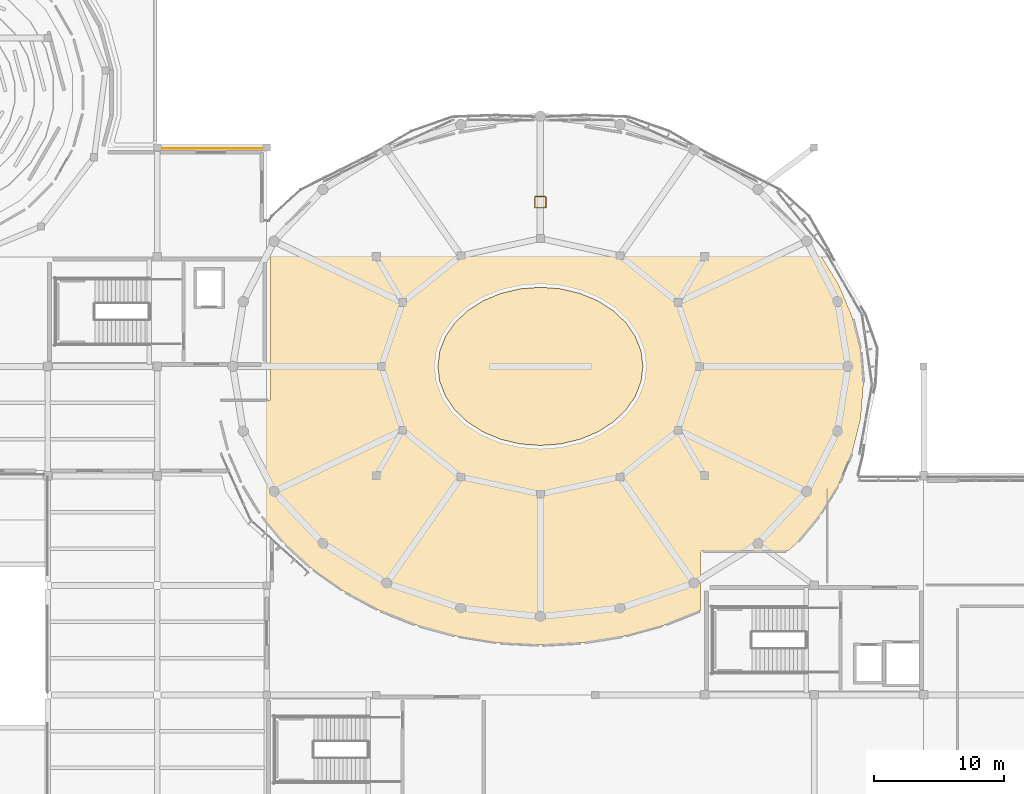
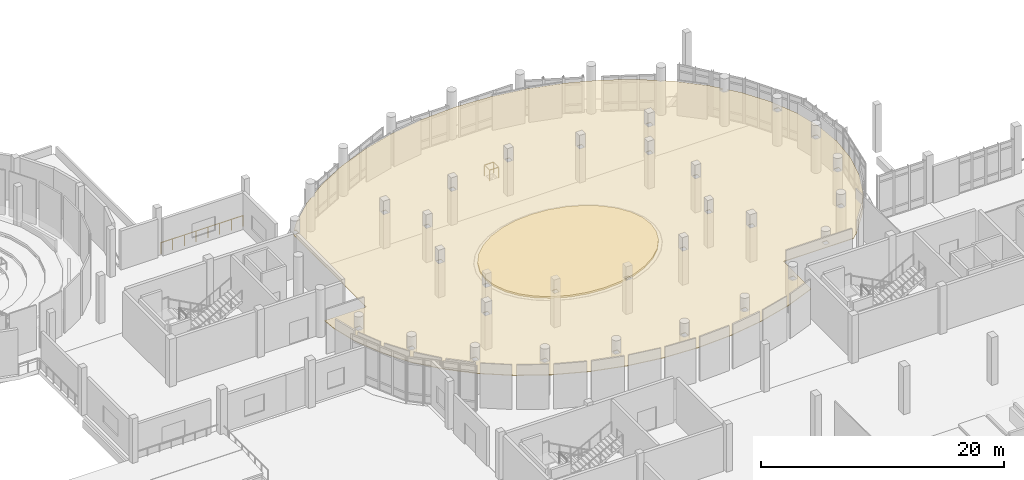
# One storey, part 56 of 63: 2 coverings, 2 railings.
"""IFC4 building model written with IfcOpenShell, lengths in metres."""

from ifc_helpers import new_model, si_unit, derived_unit, direction, frame, origin, origin_2d, place, context, subcontext, project, spatial, polyline, circle, outline, extrude, material, layer, layer_set, type_object, element, save


model = new_model("IFC4")

# Units and contexts
model_context = context("Model", 3, precision=1e-05, world=origin(), true_north=direction((0.0, 1.0)))
body_context = subcontext(model_context, "Body", "Model", "MODEL_VIEW")
ifc_project = project(units=[si_unit("LENGTHUNIT", "METRE"), si_unit("AREAUNIT", "SQUARE_METRE"), si_unit("VOLUMEUNIT", "CUBIC_METRE"), si_unit("PLANEANGLEUNIT", "RADIAN"), si_unit("MASSUNIT", "GRAM", prefix="KILO"), derived_unit("THERMALTRANSMITTANCEUNIT", [(si_unit("POWERUNIT", "WATT"), 1), (si_unit("LENGTHUNIT", "METRE"), -2), (si_unit("THERMODYNAMICTEMPERATUREUNIT", "KELVIN"), -1)])], contexts=[model_context])

# Site, building, storey
site_placement = place(None, origin())
site = spatial("IfcSite", under=ifc_project, at=site_placement, CompositionType="ELEMENT")
building_placement = place(site_placement, origin())
building = spatial("IfcBuilding", under=site, at=building_placement, Name="Elbkamm Science Centre", CompositionType="ELEMENT")
storey_placement = place(building_placement, frame((0.0, 0.0, 5.10009765625)))
storey = spatial("IfcBuildingStorey", under=building, at=storey_placement, Name="L01", CompositionType="ELEMENT", Elevation=5.10009765625)

# Coverings
ifc_material_1 = material(Name="Micro-perforated acoustic timber ceiling panel", Category="wood")
ifc_layer_1 = layer(ifc_material_1, 0.06005859375)
ifc_layer_set_1 = layer_set([ifc_layer_1], Name="Micro-perforated acoustic timber ceiling panel")
covering_type_1 = type_object("IfcCoveringType", Name="COV-CEIL-BAFFLE-60", PredefinedType="CEILING", material=ifc_layer_set_1)
covering_1_placement = place(storey_placement, frame((0.0, 0.0, 3.349853515625)))
element("IfcCovering", 1, at=covering_1_placement, inside=storey, type_object=covering_type_1, Name="L01 Marine Ecology Exhibition Hall Acoustic Ceiling", PredefinedType="CEILING", context=body_context, shape_type="SweptSolid", body=[
    extrude(outline(polyline([(72.484130859375, 84.258544921875), (75.3916015625, 83.102294921875), (78.086669921875, 81.650146484375), (79.468017578125, 80.673095703125), (79.468017578125, 80.555908203125), (79.633544921875, 80.555908203125), (80.523681640625, 79.926513671875), (82.66064453125, 77.96142578125), (83.440673828125, 77.02001953125), (83.218017578125, 77.02001953125), (83.218017578125, 76.580078125), (83.657958984375, 76.580078125), (83.657958984375, 76.757568359375), (84.461181640625, 75.788330078125), (85.894287109375, 73.444580078125), (86.93603515625, 70.97021484375), (87.568115234375, 68.4072265625), (87.77978515625, 65.800048828125), (87.568115234375, 63.192626953125), (86.93603515625, 60.6298828125), (85.894287109375, 58.155517578125), (84.461181640625, 55.811767578125), (82.66064453125, 53.638671875), (81.98779296875, 53.02001953125), (75.35009765625, 53.02001953125), (75.347900390625, 53.02001953125), (75.34619140625, 53.01953125), (75.34423828125, 53.01904296875), (75.34228515625, 53.0185546875), (75.340576171875, 53.017578125), (75.3388671875, 53.0166015625), (75.33740234375, 53.015380859375), (75.3359375, 53.01416015625), (75.33447265625, 53.0126953125), (75.33349609375, 53.010986328125), (75.33251953125, 53.009521484375), (75.33154296875, 53.0078125), (75.330810546875, 53.005859375), (75.330322265625, 53.00390625), (75.330078125, 53.001953125), (75.330078125, 53.0), (75.330078125, 48.47314453125), (72.484130859375, 47.34130859375), (69.41455078125, 46.501220703125), (66.23486328125, 45.990966796875), (63.0, 45.820068359375), (59.76513671875, 45.990966796875), (56.58544921875, 46.501220703125), (53.515869140625, 47.34130859375), (50.6083984375, 48.497802734375), (47.913330078125, 49.949951171875), (45.476318359375, 51.673583984375), (43.33935546875, 53.638671875), (41.538818359375, 55.811767578125), (40.105712890625, 58.155517578125), (39.06396484375, 60.6298828125), (38.431884765625, 63.192626953125), (38.319091796875, 64.580078125), (42.25, 64.580078125), (42.251953125, 64.580078125), (42.25390625, 64.580322265625), (42.255859375, 64.580810546875), (42.2578125, 64.58154296875), (42.259521484375, 64.58251953125), (42.260986328125, 64.58349609375), (42.2626953125, 64.58447265625), (42.26416015625, 64.5859375), (42.265380859375, 64.58740234375), (42.2666015625, 64.5888671875), (42.267578125, 64.590576171875), (42.2685546875, 64.59228515625), (42.26904296875, 64.59423828125), (42.26953125, 64.59619140625), (42.27001953125, 64.597900390625), (42.27001953125, 64.60009765625), (42.27001953125, 76.670654296875), (42.342041015625, 76.757568359375), (42.342041015625, 76.580078125), (42.781982421875, 76.580078125), (42.781982421875, 77.02001953125), (42.559326171875, 77.02001953125), (43.33935546875, 77.96142578125), (45.476318359375, 79.926513671875), (46.366455078125, 80.555908203125), (46.531982421875, 80.555908203125), (46.531982421875, 80.673095703125), (47.913330078125, 81.650146484375), (50.6083984375, 83.102294921875), (53.515869140625, 84.258544921875), (56.58544921875, 85.098876953125), (59.76513671875, 85.60888671875), (63.0, 85.780029296875), (66.23486328125, 85.60888671875), (69.41455078125, 85.098876953125), (72.484130859375, 84.258544921875)]), holes=[polyline([(86.3798828125, 67.419921875), (86.3798828125, 66.97998046875), (86.820068359375, 66.97998046875), (86.820068359375, 67.419921875), (86.3798828125, 67.419921875)]), polyline([(86.01611328125, 72.388916015625), (85.575927734375, 72.388916015625), (85.575927734375, 71.948974609375), (86.01611328125, 71.948974609375), (86.01611328125, 72.388916015625)]), polyline([(40.424072265625, 62.450927734375), (39.98388671875, 62.450927734375), (39.98388671875, 62.010986328125), (40.424072265625, 62.010986328125), (40.424072265625, 62.450927734375)]), polyline([(42.781982421875, 57.3798828125), (42.781982421875, 57.820068359375), (42.342041015625, 57.820068359375), (42.342041015625, 57.3798828125), (42.781982421875, 57.3798828125)]), polyline([(46.092041015625, 53.404052734375), (46.531982421875, 53.404052734375), (46.531982421875, 53.843994140625), (46.092041015625, 53.843994140625), (46.092041015625, 53.404052734375)]), polyline([(50.97998046875, 50.7919921875), (50.97998046875, 50.35205078125), (51.419921875, 50.35205078125), (51.419921875, 50.7919921875), (50.97998046875, 50.7919921875)]), polyline([(57.112060546875, 48.8740234375), (56.672119140625, 48.8740234375), (56.672119140625, 48.43408203125), (57.112060546875, 48.43408203125), (57.112060546875, 48.8740234375)]), polyline([(63.219970703125, 47.780029296875), (63.219970703125, 48.219970703125), (62.780029296875, 48.219970703125), (62.780029296875, 47.780029296875), (63.219970703125, 47.780029296875)]), polyline([(68.887939453125, 48.43408203125), (69.327880859375, 48.43408203125), (69.327880859375, 48.8740234375), (68.887939453125, 48.8740234375), (68.887939453125, 48.43408203125)]), polyline([(74.580078125, 50.7919921875), (74.580078125, 50.35205078125), (75.02001953125, 50.35205078125), (75.02001953125, 50.7919921875), (74.580078125, 50.7919921875)]), polyline([(79.907958984375, 53.843994140625), (79.468017578125, 53.843994140625), (79.468017578125, 53.404052734375), (79.907958984375, 53.404052734375), (79.907958984375, 53.843994140625)]), polyline([(83.657958984375, 57.3798828125), (83.657958984375, 57.820068359375), (83.218017578125, 57.820068359375), (83.218017578125, 57.3798828125), (83.657958984375, 57.3798828125)]), polyline([(85.575927734375, 62.010986328125), (86.01611328125, 62.010986328125), (86.01611328125, 62.450927734375), (85.575927734375, 62.450927734375), (85.575927734375, 62.010986328125)]), polyline([(74.97998046875, 67.419921875), (74.97998046875, 66.97998046875), (75.419921875, 66.97998046875), (75.419921875, 67.419921875), (74.97998046875, 67.419921875)]), polyline([(73.785888671875, 72.320068359375), (73.345947265625, 72.320068359375), (73.345947265625, 71.8798828125), (73.785888671875, 71.8798828125), (73.785888671875, 72.320068359375)]), polyline([(69.320068359375, 75.467041015625), (69.320068359375, 75.906982421875), (68.8798828125, 75.906982421875), (68.8798828125, 75.467041015625), (69.320068359375, 75.467041015625)]), polyline([(62.780029296875, 76.780029296875), (63.219970703125, 76.780029296875), (63.219970703125, 77.219970703125), (62.780029296875, 77.219970703125), (62.780029296875, 76.780029296875)]), polyline([(56.679931640625, 75.906982421875), (56.679931640625, 75.467041015625), (57.1201171875, 75.467041015625), (57.1201171875, 75.906982421875), (56.679931640625, 75.906982421875)]), polyline([(52.654052734375, 72.320068359375), (52.214111328125, 72.320068359375), (52.214111328125, 71.8798828125), (52.654052734375, 71.8798828125), (52.654052734375, 72.320068359375)]), polyline([(51.02001953125, 66.97998046875), (51.02001953125, 67.419921875), (50.580078125, 67.419921875), (50.580078125, 66.97998046875), (51.02001953125, 66.97998046875)]), polyline([(52.214111328125, 62.080078125), (52.654052734375, 62.080078125), (52.654052734375, 62.52001953125), (52.214111328125, 62.52001953125), (52.214111328125, 62.080078125)]), polyline([(56.679931640625, 58.93310546875), (56.679931640625, 58.492919921875), (57.1201171875, 58.492919921875), (57.1201171875, 58.93310546875), (56.679931640625, 58.93310546875)]), polyline([(63.219970703125, 57.6201171875), (62.780029296875, 57.6201171875), (62.780029296875, 57.179931640625), (63.219970703125, 57.179931640625), (63.219970703125, 57.6201171875)]), polyline([(69.320068359375, 58.492919921875), (69.320068359375, 58.93310546875), (68.8798828125, 58.93310546875), (68.8798828125, 58.492919921875), (69.320068359375, 58.492919921875)]), polyline([(73.345947265625, 62.080078125), (73.785888671875, 62.080078125), (73.785888671875, 62.52001953125), (73.345947265625, 62.52001953125), (73.345947265625, 62.080078125)]), polyline([(50.6201171875, 58.580078125), (50.6201171875, 59.02001953125), (50.179931640625, 59.02001953125), (50.179931640625, 58.580078125), (50.6201171875, 58.580078125)]), polyline([(50.179931640625, 75.3798828125), (50.6201171875, 75.3798828125), (50.6201171875, 75.820068359375), (50.179931640625, 75.820068359375), (50.179931640625, 75.3798828125)]), polyline([(75.820068359375, 59.02001953125), (75.3798828125, 59.02001953125), (75.3798828125, 58.580078125), (75.820068359375, 58.580078125), (75.820068359375, 59.02001953125)]), polyline([(75.820068359375, 75.3798828125), (75.820068359375, 75.820068359375), (75.3798828125, 75.820068359375), (75.3798828125, 75.3798828125), (75.820068359375, 75.3798828125)])]), origin(), (0.0, 0.0, 1.0), 0.06005859375),
])
ifc_material_2 = material(Name="EPDM waterproof roofing membrane and mineral wool insulation")
ifc_layer_2 = layer(ifc_material_2, 0.179931640625)
ifc_layer_set_2 = layer_set([ifc_layer_2], Name="EPDM waterproof roofing membrane and mineral wool insulation")
covering_type_2 = type_object("IfcCoveringType", Name="COV-ROOFING-180", PredefinedType="ROOFING", material=ifc_layer_set_2)
covering_2_placement = place(storey_placement, origin())
element("IfcCovering", 2, at=covering_2_placement, inside=storey, type_object=covering_type_2, Name="L01 Insulated Roof Membrane Covering 05", PredefinedType="ROOFING", context=body_context, shape_type="SweptSolid", body=[
    extrude(outline(polyline([(55.708740234375, 64.929931640625), (55.289794921875, 66.00732421875), (55.281494140625, 66.033447265625), (55.276611328125, 66.060302734375), (55.2177734375, 66.525146484375), (55.1357421875, 67.175048828125), (55.13427734375, 67.19384765625), (55.13427734375, 67.2060546875), (55.1357421875, 67.224853515625), (55.2177734375, 67.875), (55.276611328125, 68.339599609375), (55.281494140625, 68.366455078125), (55.289794921875, 68.392578125), (55.708740234375, 69.47021484375), (55.71923828125, 69.493408203125), (55.732666015625, 69.515380859375), (55.8447265625, 69.67919921875), (56.421142578125, 70.52099609375), (56.435546875, 70.539794921875), (56.451904296875, 70.556884765625), (57.390625, 71.44970703125), (57.406982421875, 71.4638671875), (57.42431640625, 71.476318359375), (58.531005859375, 72.18505859375), (58.581298828125, 72.21728515625), (58.598388671875, 72.227294921875), (58.6162109375, 72.235595703125), (59.947021484375, 72.790771484375), (59.964599609375, 72.797119140625), (59.982177734375, 72.802001953125), (61.43408203125, 73.14599609375), (61.451416015625, 73.1494140625), (61.468994140625, 73.1513671875), (62.21337890625, 73.20849609375), (62.982666015625, 73.267578125), (63.0, 73.268310546875), (63.017333984375, 73.267578125), (63.82470703125, 73.20556640625), (64.531005859375, 73.1513671875), (64.548583984375, 73.1494140625), (64.56591796875, 73.14599609375), (66.017822265625, 72.802001953125), (66.035400390625, 72.797119140625), (66.052978515625, 72.790771484375), (67.202392578125, 72.311279296875), (67.3837890625, 72.235595703125), (67.401611328125, 72.227294921875), (67.418701171875, 72.21728515625), (67.589111328125, 72.108154296875), (68.57568359375, 71.476318359375), (68.593017578125, 71.4638671875), (68.609375, 71.44970703125), (69.548095703125, 70.556884765625), (69.564453125, 70.539794921875), (69.578857421875, 70.520751953125), (69.6708984375, 70.386474609375), (70.267333984375, 69.515380859375), (70.28076171875, 69.493408203125), (70.291259765625, 69.47021484375), (70.710205078125, 68.392578125), (70.718505859375, 68.366455078125), (70.723388671875, 68.339599609375), (70.784912109375, 67.853759765625), (70.8642578125, 67.224853515625), (70.86572265625, 67.2060546875), (70.86572265625, 67.19384765625), (70.8642578125, 67.175048828125), (70.784912109375, 66.546142578125), (70.723388671875, 66.060302734375), (70.718505859375, 66.033447265625), (70.710205078125, 66.00732421875), (70.291259765625, 64.929931640625), (70.28076171875, 64.906494140625), (70.267333984375, 64.884521484375), (69.578857421875, 63.879150390625), (69.564453125, 63.8603515625), (69.548095703125, 63.843017578125), (69.230712890625, 63.541259765625), (68.609375, 62.9501953125), (68.593017578125, 62.93603515625), (68.57568359375, 62.923583984375), (68.193115234375, 62.6787109375), (67.418701171875, 62.1826171875), (67.401611328125, 62.1728515625), (67.3837890625, 62.164306640625), (66.052978515625, 61.609375), (66.035400390625, 61.602783203125), (66.017822265625, 61.597900390625), (64.56591796875, 61.254150390625), (64.548583984375, 61.250732421875), (64.531005859375, 61.248779296875), (64.0009765625, 61.2080078125), (63.017333984375, 61.13232421875), (63.0, 61.131591796875), (62.982666015625, 61.13232421875), (62.0009765625, 61.207763671875), (61.468994140625, 61.248779296875), (61.451416015625, 61.250732421875), (61.43408203125, 61.254150390625), (60.541015625, 61.465576171875), (59.982177734375, 61.597900390625), (59.964599609375, 61.602783203125), (59.947021484375, 61.609375), (58.6162109375, 62.164306640625), (58.598388671875, 62.1728515625), (58.581298828125, 62.1826171875), (58.293701171875, 62.36669921875), (57.42431640625, 62.923583984375), (57.406982421875, 62.93603515625), (57.390625, 62.9501953125), (56.451904296875, 63.843017578125), (56.435546875, 63.8603515625), (56.421142578125, 63.879150390625), (55.732666015625, 64.884521484375), (55.71923828125, 64.906494140625), (55.708740234375, 64.929931640625)])), origin(), (0.0, 0.0, 1.0), 0.179931640625),
])

# Railings
ifc_material_3 = material(Name="Stainless steel EN 1.4401", Category="steel")
railing_type_1 = type_object("IfcRailingType", Name="RAIL-EXT-GUARD-1100", PredefinedType="GUARDRAIL", material=ifc_material_3)
railing_1_placement = place(storey_placement, frame((33.8798828125, 83.89990234375, 0.0)))
element("IfcRailing", 3, at=railing_1_placement, inside=storey, type_object=railing_type_1, Name="L01 Slab Edge Perimeter Guard 015", PredefinedType="GUARDRAIL", context=body_context, shape_type="SweptSolid", body=[
    extrude(circle(Radius=0.02392578125, at=origin_2d()), frame((0.0, 0.0, 1.078125), z_axis=(1.0, 0.0, 0.0), x_axis=(0.0, 1.0, 0.0)), (0.0, 0.0, 1.0), 7.840087890625),
    extrude(circle(Radius=0.02001953125, at=origin_2d()), origin(), (0.0, 0.0, 1.0), 1.048095703125),
    extrude(circle(Radius=0.02001953125, at=origin_2d()), frame((1.1201171875, 0.0, 0.0)), (0.0, 0.0, 1.0), 1.048095703125),
    extrude(circle(Radius=0.02001953125, at=origin_2d()), frame((2.239990234375, 0.0, 0.0)), (0.0, 0.0, 1.0), 1.048095703125),
    extrude(circle(Radius=0.02001953125, at=origin_2d()), frame((3.360107421875, 0.0, 0.0)), (0.0, 0.0, 1.0), 1.048095703125),
    extrude(circle(Radius=0.02001953125, at=origin_2d()), frame((4.47998046875, 0.0, 0.0)), (0.0, 0.0, 1.0), 1.048095703125),
    extrude(circle(Radius=0.02001953125, at=origin_2d()), frame((5.60009765625, 0.0, 0.0)), (0.0, 0.0, 1.0), 1.048095703125),
    extrude(circle(Radius=0.02001953125, at=origin_2d()), frame((6.719970703125, 0.0, 0.0)), (0.0, 0.0, 1.0), 1.048095703125),
    extrude(circle(Radius=0.02001953125, at=origin_2d()), frame((7.840087890625, 0.0, 0.0)), (0.0, 0.0, 1.0), 1.048095703125),
])
railing_type_2 = type_object("IfcRailingType", Name="RAIL-GUARD-1100", PredefinedType="GUARDRAIL", material=ifc_material_3)
railing_2_placement = place(storey_placement, frame((62.570068359375, 79.3701171875, 0.0)))
element("IfcRailing", 4, at=railing_2_placement, inside=storey, type_object=railing_type_2, Name="L01 Service Riser Opening Guardrail 010", PredefinedType="GUARDRAIL", context=body_context, shape_type="SweptSolid", body=[
    extrude(circle(Radius=0.02392578125, at=origin_2d()), frame((0.0, 0.0, 1.078125), z_axis=(1.0, 0.0, 0.0), x_axis=(0.0, 1.0, 0.0)), (0.0, 0.0, 1.0), 0.829833984375),
    extrude(circle(Radius=0.02392578125, at=origin_2d()), frame((0.85986328125, 0.030029296875, 1.078125), z_axis=(0.0, 1.0, 0.0), x_axis=(-1.0, 0.0, 0.0)), (0.0, 0.0, 1.0), 0.7998046875),
    extrude(circle(Radius=0.02392578125, at=origin_2d()), frame((0.829833984375, 0.85986328125, 1.078125), z_axis=(-1.0, 0.0, 0.0), x_axis=(0.0, -1.0, 0.0)), (0.0, 0.0, 1.0), 0.7998046875),
    extrude(circle(Radius=0.02392578125, at=origin_2d()), frame((0.0, 0.829833984375, 1.078125), z_axis=(0.0, -1.0, 0.0), x_axis=(1.0, 0.0, 0.0)), (0.0, 0.0, 1.0), 0.829833984375),
    extrude(circle(Radius=0.02001953125, at=origin_2d()), origin(), (0.0, 0.0, 1.0), 1.048095703125),
    extrude(circle(Radius=0.02001953125, at=origin_2d()), frame((0.85986328125, 0.0, 0.0)), (0.0, 0.0, 1.0), 1.048095703125),
    extrude(circle(Radius=0.02001953125, at=origin_2d()), frame((0.85986328125, 0.85986328125, 0.0)), (0.0, 0.0, 1.0), 1.048095703125),
    extrude(circle(Radius=0.02001953125, at=origin_2d()), frame((0.0, 0.85986328125, 0.0)), (0.0, 0.0, 1.0), 1.048095703125),
])

save(model, "model.ifc")
